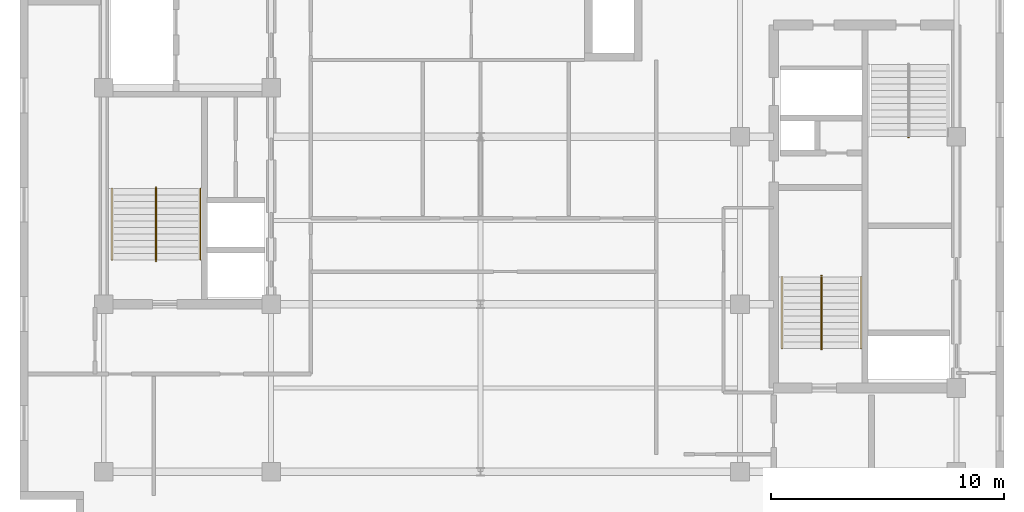
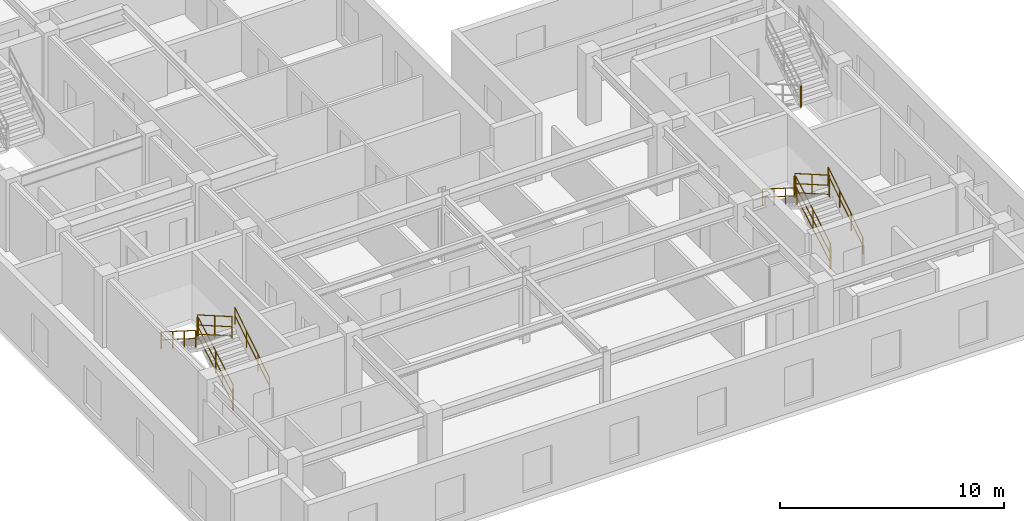
# One storey, part 8 of 10: 13 railings.
"""IFC4 building model written with IfcOpenShell, lengths in metres."""

import ifcopenshell
import ifcopenshell.guid

model = None  # the IFC model being written
_history = None  # IfcOwnerHistory: only IFC2X3 demands one
_inside = {}  # id of a spatial element -> (the spatial element, [elements in it])
_under = {}  # id of a project, library or spatial element -> (it, [spatial elements below it])
_declared = {}  # id of a project -> (the project, [libraries it declares])
_typed = {}  # id of a type object -> (the type object, [elements of that type])
_made_of = {}  # id of a material, layer set ... -> (it, [elements and type objects made of it])


def new_model(schema):
    """Start an empty IFC model of exactly this schema.

    Asked for "IFC4X3", IfcOpenShell would pick the latest addendum, in which some entities
    have other attributes; the version numbers below select the first issue.
    IFC2X3 requires an IfcOwnerHistory on every rooted entity: one is made here for all.
    """
    global model, _history
    if schema == "IFC4X3":
        model = ifcopenshell.file(schema_version=(4, 3, 0, 0))
    else:
        model = ifcopenshell.file(schema=schema)
    _inside.clear()
    _under.clear()
    _declared.clear()
    _typed.clear()
    _made_of.clear()
    _history = None
    if model.schema == "IFC2X3":
        org = make("IfcOrganization", Name="unknown")
        user = make(
            "IfcPersonAndOrganization",
            ThePerson=make("IfcPerson", FamilyName="unknown"),
            TheOrganization=org,
        )
        app = make(
            "IfcApplication",
            ApplicationDeveloper=org,
            Version="unknown",
            ApplicationFullName="unknown",
            ApplicationIdentifier="unknown",
        )
        _history = make(
            "IfcOwnerHistory",
            OwningUser=user,
            OwningApplication=app,
            ChangeAction="ADDED",
            CreationDate=0,
        )
    return model


def make(cls, **values):
    """One entity of the class cls with the attributes given. An attribute that is None is left unset."""
    return model.create_entity(
        cls, **{name: value for name, value in values.items() if value is not None}
    )


def entity(cls, *values):
    """Any entity or typed value of the class cls, its attributes in the order of the schema. None: left unset."""
    e = model.create_entity(cls)
    for i, value in enumerate(values):
        if value is not None:
            e[i] = value
    return e


def rooted(cls, **values):
    """An entity with a GlobalId (a new one), such as an element, a storey or a relation."""
    return make(cls, GlobalId=ifcopenshell.guid.new(), OwnerHistory=_history, **values)


def si_unit(unit_type, name, prefix=None):
    """IfcSIUnit, for example si_unit("LENGTHUNIT", "METRE", prefix="MILLI")."""
    return make("IfcSIUnit", UnitType=unit_type, Prefix=prefix, Name=name)


def converted_unit(unit_type, name, factor, base, dimensions=None, offset=None):
    """IfcConversionBasedUnit, such as the inch: factor (a typed value) times the base unit."""
    return make(
        "IfcConversionBasedUnit"
        if offset is None
        else "IfcConversionBasedUnitWithOffset",
        ConversionOffset=offset,
        Dimensions=None
        if dimensions is None
        else entity("IfcDimensionalExponents", *dimensions),
        UnitType=unit_type,
        Name=name,
        ConversionFactor=make(
            "IfcMeasureWithUnit", ValueComponent=factor, UnitComponent=base
        ),
    )


def assignment(units):
    """IfcUnitAssignment: the units of a project."""
    return None if units is None else make("IfcUnitAssignment", Units=units)


def point(xyz):
    """IfcCartesianPoint."""
    return None if xyz is None else make("IfcCartesianPoint", Coordinates=xyz)


def direction(xyz):
    """IfcDirection."""
    return None if xyz is None else make("IfcDirection", DirectionRatios=xyz)


def frame(location, z_axis=None, x_axis=None):
    """IfcAxis2Placement3D, a coordinate frame: its origin and axes. An axis left out is left unset."""
    return make(
        "IfcAxis2Placement3D",
        Location=point(location),
        Axis=direction(z_axis),
        RefDirection=direction(x_axis),
    )


def frame_2d(location, x_axis=None):
    """IfcAxis2Placement2D, a coordinate frame in the plane: its origin and x axis."""
    return make(
        "IfcAxis2Placement2D", Location=point(location), RefDirection=direction(x_axis)
    )


def origin_with_axes():
    """The frame at (0, 0, 0) with the z axis (0, 0, 1) and the x axis (1, 0, 0) written out."""
    return frame((0.0, 0.0, 0.0), z_axis=(0.0, 0.0, 1.0), x_axis=(1.0, 0.0, 0.0))


def origin_2d_with_axis():
    """The frame at (0, 0) in the plane with the x axis (1, 0) written out."""
    return frame_2d((0.0, 0.0), x_axis=(1.0, 0.0))


def place(relative_to, where):
    """IfcLocalPlacement: puts the frame where relative to a parent placement (None: the world)."""
    return make(
        "IfcLocalPlacement", PlacementRelTo=relative_to, RelativePlacement=where
    )


def context(
    kind, dimensions, precision=None, world=None, true_north=None, identifier=None
):
    """IfcGeometricRepresentationContext, for example the 3D "Model" context."""
    return make(
        "IfcGeometricRepresentationContext",
        ContextIdentifier=identifier,
        ContextType=kind,
        CoordinateSpaceDimension=dimensions,
        Precision=precision,
        WorldCoordinateSystem=world,
        TrueNorth=true_north,
    )


def subcontext(parent, identifier, kind, view, scale=None):
    """IfcGeometricRepresentationSubContext, for example "Body" below "Model"."""
    return make(
        "IfcGeometricRepresentationSubContext",
        ContextIdentifier=identifier,
        ContextType=kind,
        ParentContext=parent,
        TargetScale=scale,
        TargetView=view,
    )


def project(units=None, contexts=None):
    """IfcProject with its units and contexts."""
    return rooted(
        "IfcProject",
        Name="project",
        RepresentationContexts=contexts,
        UnitsInContext=assignment(units),
    )


def spatial(cls, under=None, at=None, **own):
    """A site, building, storey or space (cls), placed at a placement, below another one or the project."""
    s = rooted(cls, ObjectPlacement=at, **own)
    if under is not None:
        _under.setdefault(under.id(), (under, []))[1].append(s)
    return s


def profile(cls, at=None, kind="AREA", **sizes):
    """A parametric profile (cls). Its sizes go by their IFC names, for example OverallWidth=200.0."""
    return make(cls, ProfileType=kind, Position=at, **sizes)


def rectangle(**sizes):
    """IfcRectangleProfileDef."""
    return profile("IfcRectangleProfileDef", **sizes)


def circle(**sizes):
    """IfcCircleProfileDef."""
    return profile("IfcCircleProfileDef", **sizes)


def extrude(swept, where, along, depth):
    """IfcExtrudedAreaSolid: the profile swept, set in the frame where, extruded along a direction by depth."""
    return make(
        "IfcExtrudedAreaSolid",
        SweptArea=swept,
        Position=where,
        ExtrudedDirection=direction(along),
        Depth=depth,
    )


def shape(context_of_items, identifier, shape_type, items):
    """IfcShapeRepresentation: the items that make up one representation, for example the "Body"."""
    return make(
        "IfcShapeRepresentation",
        ContextOfItems=context_of_items,
        RepresentationIdentifier=identifier,
        RepresentationType=shape_type,
        Items=items,
    )


def material(Name=None, Category=None):
    """IfcMaterial."""
    return make("IfcMaterial", Name=Name, Category=Category)


def made_of(thing, what):
    """Note that an element or type object is made of a material, layer set ...; save() writes the relation."""
    if what is not None:
        _made_of.setdefault(what.id(), (what, []))[1].append(thing)
    return thing


def type_object(cls, material=None, **own):
    """A type object (cls), such as IfcWallType, which elements share."""
    return made_of(rooted(cls, **own), material)


def element(
    cls,
    number,
    at=None,
    inside=None,
    cuts=None,
    type_object=None,
    material=None,
    context=None,
    identifier="Body",
    shape_type=None,
    held_by="IfcProductDefinitionShape",
    body=None,
    shapes=None,
    **own,
):
    """One element of the class cls, such as IfcWall. Its Tag is "e" and its number.

    at: its placement. inside: the storey or other place that contains it. cuts: it is an
    opening in that element (IfcRelVoidsElement). A single representation is given by context,
    identifier, shape_type and body (its items); several are given by shapes. held_by: the class
    of the entity that holds the representations. save() writes the other relations.
    """
    e = rooted(cls, Tag="e%d" % number, ObjectPlacement=at, **own)
    if body is not None:
        shapes = [shape(context, identifier, shape_type, body)]
    if shapes is not None:
        e.Representation = make(held_by, Representations=shapes)
    if inside is not None:
        _inside.setdefault(inside.id(), (inside, []))[1].append(e)
    if cuts is not None:
        rooted(
            "IfcRelVoidsElement", RelatingBuildingElement=cuts, RelatedOpeningElement=e
        )
    if type_object is not None:
        _typed.setdefault(type_object.id(), (type_object, []))[1].append(e)
    return made_of(e, material)


def aggregate(whole, parts):
    """IfcRelAggregates: a whole, such as a stair, and the parts it consists of."""
    return rooted("IfcRelAggregates", RelatingObject=whole, RelatedObjects=parts)


def save(model, path):
    """Write the relations noted so far, then the file.

    IfcRelAggregates (storeys below a building ...), IfcRelContainedInSpatialStructure (elements
    in a storey), IfcRelDefinesByType, IfcRelAssociatesMaterial and IfcRelDeclares: one each for
    every whole, place, type object, material and project.
    """
    for whole, parts in _under.values():
        aggregate(whole, parts)
    for where, things in _inside.values():
        rooted(
            "IfcRelContainedInSpatialStructure",
            RelatedElements=things,
            RelatingStructure=where,
        )
    for kind, things in _typed.values():
        rooted("IfcRelDefinesByType", RelatedObjects=things, RelatingType=kind)
    for what, things in _made_of.values():
        rooted("IfcRelAssociatesMaterial", RelatedObjects=things, RelatingMaterial=what)
    for by, libraries in _declared.values():
        rooted("IfcRelDeclares", RelatingContext=by, RelatedDefinitions=libraries)
    model.write(path)


model = new_model("IFC4")

# Units and contexts
model_context = context("Model", 3, precision=1e-05, world=origin_with_axes(), true_north=direction((0.0, 1.0)))
body_context = subcontext(model_context, "Body", "Model", "MODEL_VIEW")
ifc_project = project(units=[si_unit("LENGTHUNIT", "METRE"), si_unit("AREAUNIT", "SQUARE_METRE"), si_unit("VOLUMEUNIT", "CUBIC_METRE"), converted_unit("PLANEANGLEUNIT", "DEGREE", entity("IfcPlaneAngleMeasure", 0.017453292519943295), si_unit("PLANEANGLEUNIT", "RADIAN"), dimensions=[0, 0, 0, 0, 0, 0, 0]), si_unit("MASSUNIT", "GRAM", prefix="KILO"), si_unit("THERMODYNAMICTEMPERATUREUNIT", "KELVIN")], contexts=[model_context])

# Site, building, storey
site_placement = place(None, origin_with_axes())
site = spatial("IfcSite", under=ifc_project, at=site_placement, CompositionType="ELEMENT")
building_placement = place(site_placement, origin_with_axes())
building = spatial("IfcBuilding", under=site, at=building_placement, Name="Varnlund Millrace Tower", CompositionType="ELEMENT")
storey_placement = place(building_placement, frame((0.0, 0.0, 268.5), z_axis=(0.0, 0.0, 1.0), x_axis=(1.0, 0.0, 0.0)))
storey = spatial("IfcBuildingStorey", under=building, at=storey_placement, Name="L66", CompositionType="ELEMENT", Elevation=268.5)

# Railings
ifc_material_1 = material(Name="Painted steel stair well balustrade guard", Category="steel")
railing_type_1 = type_object("IfcRailingType", Name="Type-StairGuard-1150", PredefinedType="GUARDRAIL", material=ifc_material_1)
railing_1_placement = place(storey_placement, frame((0.0, 0.0, -268.5), z_axis=(0.0, 0.0, 1.0), x_axis=(1.0, 0.0, 0.0)))
element("IfcRailing", 1, at=railing_1_placement, inside=storey, type_object=railing_type_1, Name="Type-StairGuard-1150", PredefinedType="GUARDRAIL", context=body_context, shape_type="SweptSolid", body=[
    extrude(circle(Radius=0.024, at=origin_2d_with_axis()), frame((13.675, 12.7, 269.827273), z_axis=(0.0, 0.866696, 0.498836), x_axis=(-1.0, 0.0, 0.0)), (0.0, 0.0, 1.0), 3.553725),
    extrude(circle(Radius=0.024, at=origin_2d_with_axis()), frame((13.675, 12.7, 268.777273), z_axis=(0.0, 0.866696, 0.498836), x_axis=(-1.0, 0.0, 0.0)), (0.0, 0.0, 1.0), 3.553725),
    extrude(circle(Radius=0.024, at=origin_2d_with_axis()), frame((13.675, 12.7, 269.275273), z_axis=(0.0, 0.866696, 0.498836), x_axis=(-1.0, 0.0, 0.0)), (0.0, 0.0, 1.0), 3.553725),
    extrude(rectangle(XDim=0.04, YDim=0.04, at=origin_2d_with_axis()), frame((13.675, 12.7, 268.637273), z_axis=(0.0, 0.0, 1.0), x_axis=(1.0, 0.0, 0.0)), (0.0, 0.0, 1.0), 1.19),
    extrude(rectangle(XDim=0.04, YDim=0.04, at=origin_2d_with_axis()), frame((13.675, 14.24, 269.523636), z_axis=(0.0, 0.0, 1.0), x_axis=(1.0, 0.0, 0.0)), (0.0, 0.0, 1.0), 1.19),
    extrude(rectangle(XDim=0.04, YDim=0.04, at=origin_2d_with_axis()), frame((13.675, 15.78, 270.41), z_axis=(0.0, 0.0, 1.0), x_axis=(1.0, 0.0, 0.0)), (0.0, 0.0, 1.0), 1.19),
])
railing_2_placement = place(storey_placement, frame((0.0, 0.0, -268.5), z_axis=(0.0, 0.0, 1.0), x_axis=(1.0, 0.0, 0.0)))
element("IfcRailing", 2, at=railing_2_placement, inside=storey, type_object=railing_type_1, Name="Type-StairGuard-1150", PredefinedType="GUARDRAIL", context=body_context, shape_type="SweptSolid", body=[
    extrude(circle(Radius=0.024, at=origin_2d_with_axis()), frame((13.625, 15.83, 271.6), z_axis=(1.0, 0.0, 0.0), x_axis=(0.0, 1.0, 0.0)), (0.0, 0.0, 1.0), 0.05),
    extrude(circle(Radius=0.024, at=origin_2d_with_axis()), frame((13.625, 15.83, 270.55), z_axis=(1.0, 0.0, 0.0), x_axis=(0.0, 1.0, 0.0)), (0.0, 0.0, 1.0), 0.05),
    extrude(circle(Radius=0.024, at=origin_2d_with_axis()), frame((13.625, 15.83, 271.048), z_axis=(1.0, 0.0, 0.0), x_axis=(0.0, 1.0, 0.0)), (0.0, 0.0, 1.0), 0.05),
    extrude(rectangle(XDim=0.04, YDim=0.04, at=origin_2d_with_axis()), frame((13.625, 15.83, 270.41), z_axis=(0.0, 0.0, 1.0), x_axis=(1.0, 0.0, 0.0)), (0.0, 0.0, 1.0), 1.19),
    extrude(rectangle(XDim=0.04, YDim=0.04, at=origin_2d_with_axis()), frame((13.675, 15.83, 270.41), z_axis=(0.0, 0.0, 1.0), x_axis=(1.0, 0.0, 0.0)), (0.0, 0.0, 1.0), 1.19),
])
railing_3_placement = place(storey_placement, frame((0.0, 0.0, -268.5), z_axis=(0.0, 0.0, 1.0), x_axis=(1.0, 0.0, 0.0)))
element("IfcRailing", 3, at=railing_3_placement, inside=storey, type_object=railing_type_1, Name="Type-StairGuard-1150", PredefinedType="GUARDRAIL", context=body_context, shape_type="SweptSolid", body=[
    extrude(circle(Radius=0.024, at=origin_2d_with_axis()), frame((13.625, 15.78, 271.777273), z_axis=(0.0, -0.866696, 0.498836), x_axis=(1.0, 0.0, 0.0)), (0.0, 0.0, 1.0), 3.553725),
    extrude(circle(Radius=0.024, at=origin_2d_with_axis()), frame((13.625, 15.78, 270.727273), z_axis=(0.0, -0.866696, 0.498836), x_axis=(1.0, 0.0, 0.0)), (0.0, 0.0, 1.0), 3.553725),
    extrude(circle(Radius=0.024, at=origin_2d_with_axis()), frame((13.625, 15.78, 271.225273), z_axis=(0.0, -0.866696, 0.498836), x_axis=(1.0, 0.0, 0.0)), (0.0, 0.0, 1.0), 3.553725),
    extrude(rectangle(XDim=0.04, YDim=0.04, at=origin_2d_with_axis()), frame((13.625, 15.78, 270.587273), z_axis=(0.0, 0.0, 1.0), x_axis=(1.0, 0.0, 0.0)), (0.0, 0.0, 1.0), 1.19),
    extrude(rectangle(XDim=0.04, YDim=0.04, at=origin_2d_with_axis()), frame((13.625, 14.24, 271.473636), z_axis=(0.0, 0.0, 1.0), x_axis=(1.0, 0.0, 0.0)), (0.0, 0.0, 1.0), 1.19),
    extrude(rectangle(XDim=0.04, YDim=0.04, at=origin_2d_with_axis()), frame((13.625, 12.7, 272.36), z_axis=(0.0, 0.0, 1.0), x_axis=(1.0, 0.0, 0.0)), (0.0, 0.0, 1.0), 1.19),
])
railing_4_placement = place(storey_placement, frame((0.0, 0.0, -268.5), z_axis=(0.0, 0.0, 1.0), x_axis=(1.0, 0.0, 0.0)))
element("IfcRailing", 4, at=railing_4_placement, inside=storey, type_object=railing_type_1, Name="Type-StairGuard-1150", PredefinedType="GUARDRAIL", context=body_context, shape_type="SweptSolid", body=[
    extrude(circle(Radius=0.024, at=origin_2d_with_axis()), frame((13.625, 12.65, 269.65), z_axis=(1.0, 0.0, 0.0), x_axis=(0.0, 1.0, 0.0)), (0.0, 0.0, 1.0), 0.05),
    extrude(circle(Radius=0.024, at=origin_2d_with_axis()), frame((13.625, 12.65, 268.6), z_axis=(1.0, 0.0, 0.0), x_axis=(0.0, 1.0, 0.0)), (0.0, 0.0, 1.0), 0.05),
    extrude(circle(Radius=0.024, at=origin_2d_with_axis()), frame((13.625, 12.65, 269.098), z_axis=(1.0, 0.0, 0.0), x_axis=(0.0, 1.0, 0.0)), (0.0, 0.0, 1.0), 0.05),
    extrude(rectangle(XDim=0.04, YDim=0.04, at=origin_2d_with_axis()), frame((13.625, 12.65, 268.46), z_axis=(0.0, 0.0, 1.0), x_axis=(1.0, 0.0, 0.0)), (0.0, 0.0, 1.0), 1.19),
    extrude(rectangle(XDim=0.04, YDim=0.04, at=origin_2d_with_axis()), frame((13.675, 12.65, 268.46), z_axis=(0.0, 0.0, 1.0), x_axis=(1.0, 0.0, 0.0)), (0.0, 0.0, 1.0), 1.19),
])
railing_5_placement = place(storey_placement, frame((0.0, 0.0, -268.5), z_axis=(0.0, 0.0, 1.0), x_axis=(1.0, 0.0, 0.0)))
element("IfcRailing", 5, at=railing_5_placement, inside=storey, type_object=railing_type_1, Name="Type-StairGuard-1150", PredefinedType="GUARDRAIL", context=body_context, shape_type="SweptSolid", body=[
    extrude(circle(Radius=0.024, at=origin_2d_with_axis()), frame((42.275, 8.9, 269.827273), z_axis=(0.0, 0.866696, 0.498836), x_axis=(-1.0, 0.0, 0.0)), (0.0, 0.0, 1.0), 3.553725),
    extrude(circle(Radius=0.024, at=origin_2d_with_axis()), frame((42.275, 8.9, 268.777273), z_axis=(0.0, 0.866696, 0.498836), x_axis=(-1.0, 0.0, 0.0)), (0.0, 0.0, 1.0), 3.553725),
    extrude(circle(Radius=0.024, at=origin_2d_with_axis()), frame((42.275, 8.9, 269.275273), z_axis=(0.0, 0.866696, 0.498836), x_axis=(-1.0, 0.0, 0.0)), (0.0, 0.0, 1.0), 3.553725),
    extrude(rectangle(XDim=0.04, YDim=0.04, at=origin_2d_with_axis()), frame((42.275, 8.9, 268.637273), z_axis=(0.0, 0.0, 1.0), x_axis=(1.0, 0.0, 0.0)), (0.0, 0.0, 1.0), 1.19),
    extrude(rectangle(XDim=0.04, YDim=0.04, at=origin_2d_with_axis()), frame((42.275, 10.44, 269.523636), z_axis=(0.0, 0.0, 1.0), x_axis=(1.0, 0.0, 0.0)), (0.0, 0.0, 1.0), 1.19),
    extrude(rectangle(XDim=0.04, YDim=0.04, at=origin_2d_with_axis()), frame((42.275, 11.98, 270.41), z_axis=(0.0, 0.0, 1.0), x_axis=(1.0, 0.0, 0.0)), (0.0, 0.0, 1.0), 1.19),
])
railing_6_placement = place(storey_placement, frame((0.0, 0.0, -268.5), z_axis=(0.0, 0.0, 1.0), x_axis=(1.0, 0.0, 0.0)))
element("IfcRailing", 6, at=railing_6_placement, inside=storey, type_object=railing_type_1, Name="Type-StairGuard-1150", PredefinedType="GUARDRAIL", context=body_context, shape_type="SweptSolid", body=[
    extrude(circle(Radius=0.024, at=origin_2d_with_axis()), frame((42.225, 12.03, 271.6), z_axis=(1.0, 0.0, 0.0), x_axis=(0.0, 1.0, 0.0)), (0.0, 0.0, 1.0), 0.05),
    extrude(circle(Radius=0.024, at=origin_2d_with_axis()), frame((42.225, 12.03, 270.55), z_axis=(1.0, 0.0, 0.0), x_axis=(0.0, 1.0, 0.0)), (0.0, 0.0, 1.0), 0.05),
    extrude(circle(Radius=0.024, at=origin_2d_with_axis()), frame((42.225, 12.03, 271.048), z_axis=(1.0, 0.0, 0.0), x_axis=(0.0, 1.0, 0.0)), (0.0, 0.0, 1.0), 0.05),
    extrude(rectangle(XDim=0.04, YDim=0.04, at=origin_2d_with_axis()), frame((42.225, 12.03, 270.41), z_axis=(0.0, 0.0, 1.0), x_axis=(1.0, 0.0, 0.0)), (0.0, 0.0, 1.0), 1.19),
    extrude(rectangle(XDim=0.04, YDim=0.04, at=origin_2d_with_axis()), frame((42.275, 12.03, 270.41), z_axis=(0.0, 0.0, 1.0), x_axis=(1.0, 0.0, 0.0)), (0.0, 0.0, 1.0), 1.19),
])
railing_7_placement = place(storey_placement, frame((0.0, 0.0, -268.5), z_axis=(0.0, 0.0, 1.0), x_axis=(1.0, 0.0, 0.0)))
element("IfcRailing", 7, at=railing_7_placement, inside=storey, type_object=railing_type_1, Name="Type-StairGuard-1150", PredefinedType="GUARDRAIL", context=body_context, shape_type="SweptSolid", body=[
    extrude(circle(Radius=0.024, at=origin_2d_with_axis()), frame((42.225, 11.98, 271.777273), z_axis=(0.0, -0.866696, 0.498836), x_axis=(1.0, 0.0, 0.0)), (0.0, 0.0, 1.0), 3.553725),
    extrude(circle(Radius=0.024, at=origin_2d_with_axis()), frame((42.225, 11.98, 270.727273), z_axis=(0.0, -0.866696, 0.498836), x_axis=(1.0, 0.0, 0.0)), (0.0, 0.0, 1.0), 3.553725),
    extrude(circle(Radius=0.024, at=origin_2d_with_axis()), frame((42.225, 11.98, 271.225273), z_axis=(0.0, -0.866696, 0.498836), x_axis=(1.0, 0.0, 0.0)), (0.0, 0.0, 1.0), 3.553725),
    extrude(rectangle(XDim=0.04, YDim=0.04, at=origin_2d_with_axis()), frame((42.225, 11.98, 270.587273), z_axis=(0.0, 0.0, 1.0), x_axis=(1.0, 0.0, 0.0)), (0.0, 0.0, 1.0), 1.19),
    extrude(rectangle(XDim=0.04, YDim=0.04, at=origin_2d_with_axis()), frame((42.225, 10.44, 271.473636), z_axis=(0.0, 0.0, 1.0), x_axis=(1.0, 0.0, 0.0)), (0.0, 0.0, 1.0), 1.19),
    extrude(rectangle(XDim=0.04, YDim=0.04, at=origin_2d_with_axis()), frame((42.225, 8.9, 272.36), z_axis=(0.0, 0.0, 1.0), x_axis=(1.0, 0.0, 0.0)), (0.0, 0.0, 1.0), 1.19),
])
railing_8_placement = place(storey_placement, frame((0.0, 0.0, -268.5), z_axis=(0.0, 0.0, 1.0), x_axis=(1.0, 0.0, 0.0)))
element("IfcRailing", 8, at=railing_8_placement, inside=storey, type_object=railing_type_1, Name="Type-StairGuard-1150", PredefinedType="GUARDRAIL", context=body_context, shape_type="SweptSolid", body=[
    extrude(circle(Radius=0.024, at=origin_2d_with_axis()), frame((42.225, 8.85, 269.65), z_axis=(1.0, 0.0, 0.0), x_axis=(0.0, 1.0, 0.0)), (0.0, 0.0, 1.0), 0.05),
    extrude(circle(Radius=0.024, at=origin_2d_with_axis()), frame((42.225, 8.85, 268.6), z_axis=(1.0, 0.0, 0.0), x_axis=(0.0, 1.0, 0.0)), (0.0, 0.0, 1.0), 0.05),
    extrude(circle(Radius=0.024, at=origin_2d_with_axis()), frame((42.225, 8.85, 269.098), z_axis=(1.0, 0.0, 0.0), x_axis=(0.0, 1.0, 0.0)), (0.0, 0.0, 1.0), 0.05),
    extrude(rectangle(XDim=0.04, YDim=0.04, at=origin_2d_with_axis()), frame((42.225, 8.85, 268.46), z_axis=(0.0, 0.0, 1.0), x_axis=(1.0, 0.0, 0.0)), (0.0, 0.0, 1.0), 1.19),
    extrude(rectangle(XDim=0.04, YDim=0.04, at=origin_2d_with_axis()), frame((42.275, 8.85, 268.46), z_axis=(0.0, 0.0, 1.0), x_axis=(1.0, 0.0, 0.0)), (0.0, 0.0, 1.0), 1.19),
])
railing_9_placement = place(storey_placement, frame((0.0, 0.0, -268.5), z_axis=(0.0, 0.0, 1.0), x_axis=(1.0, 0.0, 0.0)))
element("IfcRailing", 9, at=railing_9_placement, inside=storey, type_object=railing_type_1, Name="Type-StairGuard-1150", PredefinedType="GUARDRAIL", context=body_context, shape_type="SweptSolid", body=[
    extrude(circle(Radius=0.024, at=origin_2d_with_axis()), frame((46.025, 17.97, 271.6), z_axis=(-1.0, 0.0, 0.0), x_axis=(0.0, -1.0, 0.0)), (0.0, 0.0, 1.0), 0.05),
    extrude(circle(Radius=0.024, at=origin_2d_with_axis()), frame((46.025, 17.97, 270.55), z_axis=(-1.0, 0.0, 0.0), x_axis=(0.0, -1.0, 0.0)), (0.0, 0.0, 1.0), 0.05),
    extrude(circle(Radius=0.024, at=origin_2d_with_axis()), frame((46.025, 17.97, 271.048), z_axis=(-1.0, 0.0, 0.0), x_axis=(0.0, -1.0, 0.0)), (0.0, 0.0, 1.0), 0.05),
    extrude(rectangle(XDim=0.04, YDim=0.04, at=origin_2d_with_axis()), frame((46.025, 17.97, 270.41), z_axis=(0.0, 0.0, 1.0), x_axis=(1.0, 0.0, 0.0)), (0.0, 0.0, 1.0), 1.19),
    extrude(rectangle(XDim=0.04, YDim=0.04, at=origin_2d_with_axis()), frame((45.975, 17.97, 270.41), z_axis=(0.0, 0.0, 1.0), x_axis=(1.0, 0.0, 0.0)), (0.0, 0.0, 1.0), 1.19),
])
ifc_material_2 = material(Name="Brushed architectural bronze stair handrail", Category="aluminium")
railing_type_2 = type_object("IfcRailingType", Name="Type-StairHandrail-900", PredefinedType="HANDRAIL", material=ifc_material_2)
railing_10_placement = place(storey_placement, frame((0.0, 0.0, -268.5), z_axis=(0.0, 0.0, 1.0), x_axis=(1.0, 0.0, 0.0)))
element("IfcRailing", 10, at=railing_10_placement, inside=storey, type_object=railing_type_2, Name="Type-StairHandrail-900", PredefinedType="HANDRAIL", context=body_context, shape_type="SweptSolid", body=[
    extrude(circle(Radius=0.024, at=origin_2d_with_axis()), frame((15.55, 12.7, 269.556995), z_axis=(0.0, 0.844902, 0.534922), x_axis=(-1.0, 0.0, 0.0)), (0.0, 0.0, 1.0), 3.645394),
    extrude(circle(Radius=0.024, at=origin_2d_with_axis()), frame((15.55, 12.7, 269.117134), z_axis=(0.0, 0.844902, 0.534922), x_axis=(-1.0, 0.0, 0.0)), (0.0, 0.0, 1.0), 3.645394),
    extrude(rectangle(XDim=0.04, YDim=0.04, at=origin_2d_with_axis()), frame((15.55, 12.7, 268.637273), z_axis=(0.0, 0.0, 1.0), x_axis=(1.0, 0.0, 0.0)), (0.0, 0.0, 1.0), 0.919722),
    extrude(rectangle(XDim=0.04, YDim=0.04, at=origin_2d_with_axis()), frame((15.55, 13.726667, 269.287273), z_axis=(0.0, 0.0, 1.0), x_axis=(1.0, 0.0, 0.0)), (0.0, 0.0, 1.0), 0.919722),
    extrude(rectangle(XDim=0.04, YDim=0.04, at=origin_2d_with_axis()), frame((15.55, 14.753333, 269.937273), z_axis=(0.0, 0.0, 1.0), x_axis=(1.0, 0.0, 0.0)), (0.0, 0.0, 1.0), 0.919722),
    extrude(rectangle(XDim=0.04, YDim=0.04, at=origin_2d_with_axis()), frame((15.55, 15.78, 270.587273), z_axis=(0.0, 0.0, 1.0), x_axis=(1.0, 0.0, 0.0)), (0.0, 0.0, 1.0), 0.919722),
])
railing_11_placement = place(storey_placement, frame((0.0, 0.0, -268.5), z_axis=(0.0, 0.0, 1.0), x_axis=(1.0, 0.0, 0.0)))
element("IfcRailing", 11, at=railing_11_placement, inside=storey, type_object=railing_type_2, Name="Type-StairHandrail-900", PredefinedType="HANDRAIL", context=body_context, shape_type="SweptSolid", body=[
    extrude(circle(Radius=0.024, at=origin_2d_with_axis()), frame((11.75, 15.78, 271.506995), z_axis=(0.0, -0.844902, 0.534922), x_axis=(1.0, 0.0, 0.0)), (0.0, 0.0, 1.0), 3.645394),
    extrude(circle(Radius=0.024, at=origin_2d_with_axis()), frame((11.75, 15.78, 271.067134), z_axis=(0.0, -0.844902, 0.534922), x_axis=(1.0, 0.0, 0.0)), (0.0, 0.0, 1.0), 3.645394),
    extrude(rectangle(XDim=0.04, YDim=0.04, at=origin_2d_with_axis()), frame((11.75, 15.78, 270.587273), z_axis=(0.0, 0.0, 1.0), x_axis=(1.0, 0.0, 0.0)), (0.0, 0.0, 1.0), 0.919722),
    extrude(rectangle(XDim=0.04, YDim=0.04, at=origin_2d_with_axis()), frame((11.75, 14.753333, 271.237273), z_axis=(0.0, 0.0, 1.0), x_axis=(1.0, 0.0, 0.0)), (0.0, 0.0, 1.0), 0.919722),
    extrude(rectangle(XDim=0.04, YDim=0.04, at=origin_2d_with_axis()), frame((11.75, 13.726667, 271.887273), z_axis=(0.0, 0.0, 1.0), x_axis=(1.0, 0.0, 0.0)), (0.0, 0.0, 1.0), 0.919722),
    extrude(rectangle(XDim=0.04, YDim=0.04, at=origin_2d_with_axis()), frame((11.75, 12.7, 272.537273), z_axis=(0.0, 0.0, 1.0), x_axis=(1.0, 0.0, 0.0)), (0.0, 0.0, 1.0), 0.919722),
])
railing_12_placement = place(storey_placement, frame((0.0, 0.0, -268.5), z_axis=(0.0, 0.0, 1.0), x_axis=(1.0, 0.0, 0.0)))
element("IfcRailing", 12, at=railing_12_placement, inside=storey, type_object=railing_type_2, Name="Type-StairHandrail-900", PredefinedType="HANDRAIL", context=body_context, shape_type="SweptSolid", body=[
    extrude(circle(Radius=0.024, at=origin_2d_with_axis()), frame((43.95, 8.9, 269.556995), z_axis=(0.0, 0.844902, 0.534922), x_axis=(-1.0, 0.0, 0.0)), (0.0, 0.0, 1.0), 3.645394),
    extrude(circle(Radius=0.024, at=origin_2d_with_axis()), frame((43.95, 8.9, 269.117134), z_axis=(0.0, 0.844902, 0.534922), x_axis=(-1.0, 0.0, 0.0)), (0.0, 0.0, 1.0), 3.645394),
    extrude(rectangle(XDim=0.04, YDim=0.04, at=origin_2d_with_axis()), frame((43.95, 8.9, 268.637273), z_axis=(0.0, 0.0, 1.0), x_axis=(1.0, 0.0, 0.0)), (0.0, 0.0, 1.0), 0.919722),
    extrude(rectangle(XDim=0.04, YDim=0.04, at=origin_2d_with_axis()), frame((43.95, 9.926667, 269.287273), z_axis=(0.0, 0.0, 1.0), x_axis=(1.0, 0.0, 0.0)), (0.0, 0.0, 1.0), 0.919722),
    extrude(rectangle(XDim=0.04, YDim=0.04, at=origin_2d_with_axis()), frame((43.95, 10.953333, 269.937273), z_axis=(0.0, 0.0, 1.0), x_axis=(1.0, 0.0, 0.0)), (0.0, 0.0, 1.0), 0.919722),
    extrude(rectangle(XDim=0.04, YDim=0.04, at=origin_2d_with_axis()), frame((43.95, 11.98, 270.587273), z_axis=(0.0, 0.0, 1.0), x_axis=(1.0, 0.0, 0.0)), (0.0, 0.0, 1.0), 0.919722),
])
railing_13_placement = place(storey_placement, frame((0.0, 0.0, -268.5), z_axis=(0.0, 0.0, 1.0), x_axis=(1.0, 0.0, 0.0)))
element("IfcRailing", 13, at=railing_13_placement, inside=storey, type_object=railing_type_2, Name="Type-StairHandrail-900", PredefinedType="HANDRAIL", context=body_context, shape_type="SweptSolid", body=[
    extrude(circle(Radius=0.024, at=origin_2d_with_axis()), frame((40.55, 11.98, 271.506995), z_axis=(0.0, -0.844902, 0.534922), x_axis=(1.0, 0.0, 0.0)), (0.0, 0.0, 1.0), 3.645394),
    extrude(circle(Radius=0.024, at=origin_2d_with_axis()), frame((40.55, 11.98, 271.067134), z_axis=(0.0, -0.844902, 0.534922), x_axis=(1.0, 0.0, 0.0)), (0.0, 0.0, 1.0), 3.645394),
    extrude(rectangle(XDim=0.04, YDim=0.04, at=origin_2d_with_axis()), frame((40.55, 11.98, 270.587273), z_axis=(0.0, 0.0, 1.0), x_axis=(1.0, 0.0, 0.0)), (0.0, 0.0, 1.0), 0.919722),
    extrude(rectangle(XDim=0.04, YDim=0.04, at=origin_2d_with_axis()), frame((40.55, 10.953333, 271.237273), z_axis=(0.0, 0.0, 1.0), x_axis=(1.0, 0.0, 0.0)), (0.0, 0.0, 1.0), 0.919722),
    extrude(rectangle(XDim=0.04, YDim=0.04, at=origin_2d_with_axis()), frame((40.55, 9.926667, 271.887273), z_axis=(0.0, 0.0, 1.0), x_axis=(1.0, 0.0, 0.0)), (0.0, 0.0, 1.0), 0.919722),
    extrude(rectangle(XDim=0.04, YDim=0.04, at=origin_2d_with_axis()), frame((40.55, 8.9, 272.537273), z_axis=(0.0, 0.0, 1.0), x_axis=(1.0, 0.0, 0.0)), (0.0, 0.0, 1.0), 0.919722),
])

save(model, "model.ifc")
